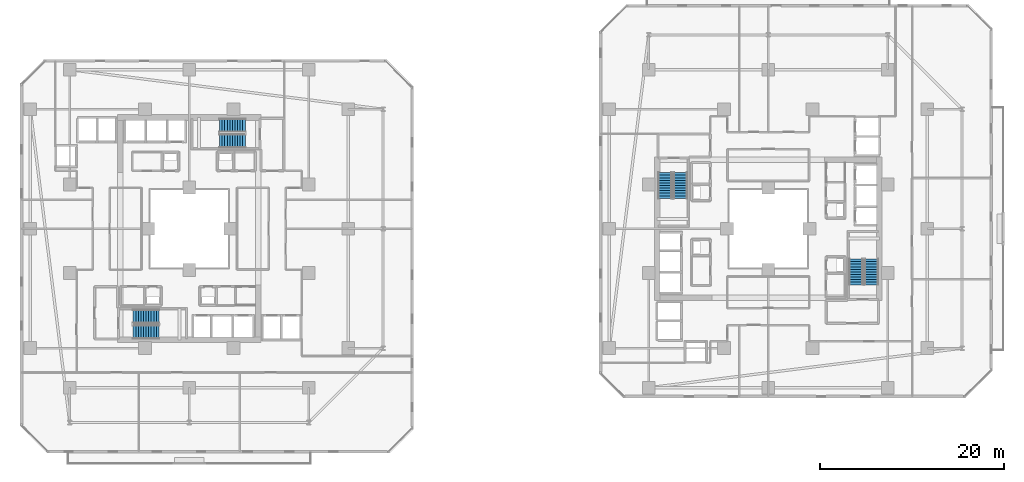
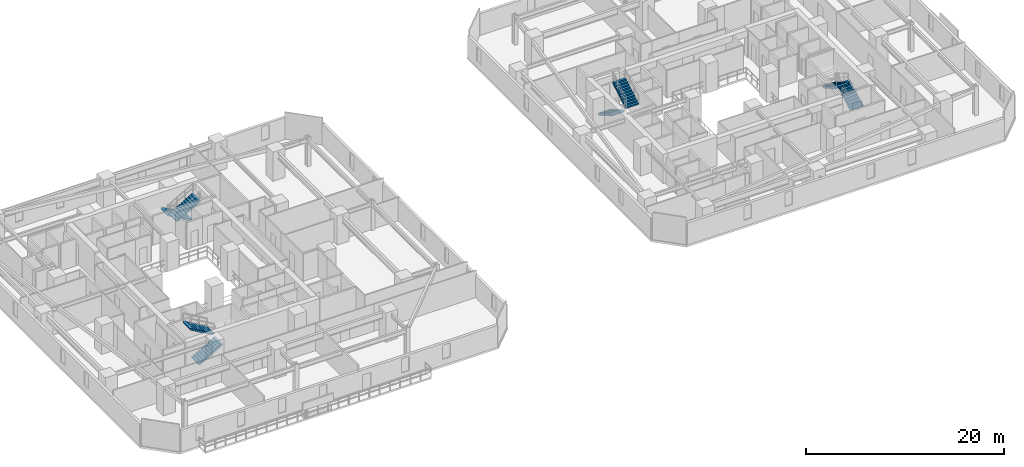
# One storey, part 29 of 35: 8 stair flights, 4 elements without a shape of their own.
"""IFC4 building model written with IfcOpenShell, lengths in metres."""

from ifc_helpers import new_model, si_unit, direction, frame, origin, place, context, subcontext, project, spatial, polyline, outline, extrude, material, type_object, element, aggregate, save


model = new_model("IFC4")

# Units and contexts
model_context = context("Model", 3, precision=1e-05, world=origin(), true_north=direction((0.0, 1.0)))
body_context = subcontext(model_context, "Body", "Model", "MODEL_VIEW")
ifc_project = project(units=[si_unit("LENGTHUNIT", "METRE"), si_unit("AREAUNIT", "SQUARE_METRE"), si_unit("VOLUMEUNIT", "CUBIC_METRE"), si_unit("PLANEANGLEUNIT", "RADIAN"), si_unit("MASSUNIT", "GRAM", prefix="KILO")], contexts=[model_context])

# Site, building, storey
site_placement = place(None, origin())
site = spatial("IfcSite", under=ifc_project, at=site_placement, CompositionType="ELEMENT")
building_placement = place(site_placement, origin())
building = spatial("IfcBuilding", under=site, at=building_placement, Name="Thornwick Lancets Civic Towers", CompositionType="ELEMENT")
storey_placement = place(building_placement, frame((0.0, 0.0, 64.5)))
storey = spatial("IfcBuildingStorey", under=building, at=storey_placement, Name="L16", CompositionType="ELEMENT", Elevation=64.5)

# Stair, stair flights
ifc_material = material(Name="Concrete C40/50", Category="concrete")
stair_type = type_object("IfcStairType", Name="STAIR_DL_3600", PredefinedType="HALF_TURN_STAIR", material=ifc_material)
stair_1_placement = place(storey_placement, origin())
stair_1 = element("IfcStair", 1, at=stair_1_placement, inside=storey, type_object=stair_type, Name="L16 Tower A South Exit Stair ST-A1", PredefinedType="HALF_TURN_STAIR")
stair_flight_type = type_object("IfcStairFlightType", Name="FLIGHT_3600", PredefinedType="STRAIGHT", material=ifc_material)
stair_flight_1_placement = place(storey_placement, frame((19.39990234375, 15.75, 0.0), z_axis=(0.0, 0.0, 1.0), x_axis=(1.0, 0.0, 0.0)))
stair_flight_1 = element("IfcStairFlight", 2, at=stair_flight_1_placement, type_object=stair_flight_type, Name="ST-A1 flight 1", NumberOfRisers=11, NumberOfTreads=10, PredefinedType="STRAIGHT", RiserHeight=0.163636364, TreadLength=0.28, context=body_context, shape_type="SweptSolid", body=[
    extrude(outline(polyline([(0.0, 0.0), (0.0, 0.16357421875), (0.280029296875, 0.16357421875), (0.280029296875, 0.327392578125), (0.56005859375, 0.327392578125), (0.56005859375, 0.490966796875), (0.840087890625, 0.490966796875), (0.840087890625, 0.654541015625), (1.1201171875, 0.654541015625), (1.1201171875, 0.818115234375), (1.39990234375, 0.818115234375), (1.39990234375, 0.98193359375), (1.679931640625, 0.98193359375), (1.679931640625, 1.1455078125), (1.9599609375, 1.1455078125), (1.9599609375, 1.30908203125), (2.239990234375, 1.30908203125), (2.239990234375, 1.47265625), (2.52001953125, 1.47265625), (2.52001953125, 1.636474609375), (2.800048828125, 1.636474609375), (2.800048828125, 1.800048828125), (2.800048828125, 1.462646484375), (0.297119140625, 0.0), (0.0, 0.0)])), frame((0.0, 0.75, 0.0), z_axis=(0.0, -1.0, 0.0), x_axis=(1.0, 0.0, 0.0)), (0.0, 0.0, 1.0), 1.5),
])
stair_flight_2_placement = place(storey_placement, frame((22.199951171875, 17.449951171875, 1.800048828125), z_axis=(0.0, 0.0, 1.0), x_axis=(-1.0, 0.0, 0.0)))
stair_flight_2 = element("IfcStairFlight", 3, at=stair_flight_2_placement, type_object=stair_flight_type, Name="ST-A1 flight 2", NumberOfRisers=11, NumberOfTreads=10, PredefinedType="STRAIGHT", RiserHeight=0.163636364, TreadLength=0.28, context=body_context, shape_type="SweptSolid", body=[
    extrude(outline(polyline([(0.0, 0.0), (0.0, 0.16357421875), (0.280029296875, 0.16357421875), (0.280029296875, 0.327392578125), (0.56005859375, 0.327392578125), (0.56005859375, 0.490966796875), (0.840087890625, 0.490966796875), (0.840087890625, 0.654541015625), (1.1201171875, 0.654541015625), (1.1201171875, 0.818115234375), (1.39990234375, 0.818115234375), (1.39990234375, 0.98193359375), (1.679931640625, 0.98193359375), (1.679931640625, 1.1455078125), (1.9599609375, 1.1455078125), (1.9599609375, 1.30908203125), (2.239990234375, 1.30908203125), (2.239990234375, 1.47265625), (2.52001953125, 1.47265625), (2.52001953125, 1.636474609375), (2.800048828125, 1.636474609375), (2.800048828125, 1.800048828125), (2.800048828125, 1.462646484375), (0.297119140625, 0.0), (0.0, 0.0)])), frame((0.0, 0.75, 0.0), z_axis=(0.0, -1.0, 0.0), x_axis=(1.0, 0.0, 0.0)), (0.0, 0.0, 1.0), 1.5),
])
aggregate(stair_1, [stair_flight_1, stair_flight_2])

stair_2_placement = place(storey_placement, origin())
stair_2 = element("IfcStair", 4, at=stair_2_placement, inside=storey, type_object=stair_type, Name="L16 Tower A North Exit Stair ST-A2", PredefinedType="HALF_TURN_STAIR")
stair_flight_3_placement = place(storey_placement, frame((31.60009765625, 38.25, 0.0), z_axis=(0.0, 0.0, 1.0), x_axis=(-1.0, 0.0, 0.0)))
stair_flight_3 = element("IfcStairFlight", 5, at=stair_flight_3_placement, type_object=stair_flight_type, Name="ST-A2 flight 1", NumberOfRisers=11, NumberOfTreads=10, PredefinedType="STRAIGHT", RiserHeight=0.163636364, TreadLength=0.28, context=body_context, shape_type="SweptSolid", body=[
    extrude(outline(polyline([(0.0, 0.0), (0.0, 0.16357421875), (0.280029296875, 0.16357421875), (0.280029296875, 0.327392578125), (0.56005859375, 0.327392578125), (0.56005859375, 0.490966796875), (0.840087890625, 0.490966796875), (0.840087890625, 0.654541015625), (1.1201171875, 0.654541015625), (1.1201171875, 0.818115234375), (1.39990234375, 0.818115234375), (1.39990234375, 0.98193359375), (1.679931640625, 0.98193359375), (1.679931640625, 1.1455078125), (1.9599609375, 1.1455078125), (1.9599609375, 1.30908203125), (2.239990234375, 1.30908203125), (2.239990234375, 1.47265625), (2.52001953125, 1.47265625), (2.52001953125, 1.636474609375), (2.800048828125, 1.636474609375), (2.800048828125, 1.800048828125), (2.800048828125, 1.462646484375), (0.297119140625, 0.0), (0.0, 0.0)])), frame((0.0, 0.75, 0.0), z_axis=(0.0, -1.0, 0.0), x_axis=(1.0, 0.0, 0.0)), (0.0, 0.0, 1.0), 1.5),
])
stair_flight_4_placement = place(storey_placement, frame((28.800048828125, 36.550048828125, 1.800048828125), z_axis=(0.0, 0.0, 1.0), x_axis=(1.0, 0.0, 0.0)))
stair_flight_4 = element("IfcStairFlight", 6, at=stair_flight_4_placement, type_object=stair_flight_type, Name="ST-A2 flight 2", NumberOfRisers=11, NumberOfTreads=10, PredefinedType="STRAIGHT", RiserHeight=0.163636364, TreadLength=0.28, context=body_context, shape_type="SweptSolid", body=[
    extrude(outline(polyline([(0.0, 0.0), (0.0, 0.16357421875), (0.280029296875, 0.16357421875), (0.280029296875, 0.327392578125), (0.56005859375, 0.327392578125), (0.56005859375, 0.490966796875), (0.840087890625, 0.490966796875), (0.840087890625, 0.654541015625), (1.1201171875, 0.654541015625), (1.1201171875, 0.818115234375), (1.39990234375, 0.818115234375), (1.39990234375, 0.98193359375), (1.679931640625, 0.98193359375), (1.679931640625, 1.1455078125), (1.9599609375, 1.1455078125), (1.9599609375, 1.30908203125), (2.239990234375, 1.30908203125), (2.239990234375, 1.47265625), (2.52001953125, 1.47265625), (2.52001953125, 1.636474609375), (2.800048828125, 1.636474609375), (2.800048828125, 1.800048828125), (2.800048828125, 1.462646484375), (0.297119140625, 0.0), (0.0, 0.0)])), frame((0.0, 0.75, 0.0), z_axis=(0.0, -1.0, 0.0), x_axis=(1.0, 0.0, 0.0)), (0.0, 0.0, 1.0), 1.5),
])
aggregate(stair_2, [stair_flight_3, stair_flight_4])

stair_3_placement = place(storey_placement, origin())
stair_3 = element("IfcStair", 7, at=stair_3_placement, inside=storey, type_object=stair_type, Name="L16 Tower B East Exit Stair ST-B1", PredefinedType="HALF_TURN_STAIR")
stair_flight_5_placement = place(storey_placement, frame((99.75, 20.89990234375, 0.0), z_axis=(0.0, 0.0, 1.0), x_axis=(0.0, 1.0, 0.0)))
stair_flight_5 = element("IfcStairFlight", 8, at=stair_flight_5_placement, type_object=stair_flight_type, Name="ST-B1 flight 1", NumberOfRisers=11, NumberOfTreads=10, PredefinedType="STRAIGHT", RiserHeight=0.163636364, TreadLength=0.28, context=body_context, shape_type="SweptSolid", body=[
    extrude(outline(polyline([(0.0, 0.0), (0.0, 0.16357421875), (0.280029296875, 0.16357421875), (0.280029296875, 0.327392578125), (0.56005859375, 0.327392578125), (0.56005859375, 0.490966796875), (0.840087890625, 0.490966796875), (0.840087890625, 0.654541015625), (1.1201171875, 0.654541015625), (1.1201171875, 0.818115234375), (1.39990234375, 0.818115234375), (1.39990234375, 0.98193359375), (1.679931640625, 0.98193359375), (1.679931640625, 1.1455078125), (1.9599609375, 1.1455078125), (1.9599609375, 1.30908203125), (2.239990234375, 1.30908203125), (2.239990234375, 1.47265625), (2.52001953125, 1.47265625), (2.52001953125, 1.636474609375), (2.800048828125, 1.636474609375), (2.800048828125, 1.800048828125), (2.800048828125, 1.462646484375), (0.297119140625, 0.0), (0.0, 0.0)])), frame((0.0, 0.75, 0.0), z_axis=(0.0, -1.0, 0.0), x_axis=(1.0, 0.0, 0.0)), (0.0, 0.0, 1.0), 1.5),
])
stair_flight_6_placement = place(storey_placement, frame((98.050048828125, 23.699951171875, 1.800048828125), z_axis=(0.0, 0.0, 1.0), x_axis=(0.0, -1.0, 0.0)))
stair_flight_6 = element("IfcStairFlight", 9, at=stair_flight_6_placement, type_object=stair_flight_type, Name="ST-B1 flight 2", NumberOfRisers=11, NumberOfTreads=10, PredefinedType="STRAIGHT", RiserHeight=0.163636364, TreadLength=0.28, context=body_context, shape_type="SweptSolid", body=[
    extrude(outline(polyline([(0.0, 0.0), (0.0, 0.16357421875), (0.280029296875, 0.16357421875), (0.280029296875, 0.327392578125), (0.56005859375, 0.327392578125), (0.56005859375, 0.490966796875), (0.840087890625, 0.490966796875), (0.840087890625, 0.654541015625), (1.1201171875, 0.654541015625), (1.1201171875, 0.818115234375), (1.39990234375, 0.818115234375), (1.39990234375, 0.98193359375), (1.679931640625, 0.98193359375), (1.679931640625, 1.1455078125), (1.9599609375, 1.1455078125), (1.9599609375, 1.30908203125), (2.239990234375, 1.30908203125), (2.239990234375, 1.47265625), (2.52001953125, 1.47265625), (2.52001953125, 1.636474609375), (2.800048828125, 1.636474609375), (2.800048828125, 1.800048828125), (2.800048828125, 1.462646484375), (0.297119140625, 0.0), (0.0, 0.0)])), frame((0.0, 0.75, 0.0), z_axis=(0.0, -1.0, 0.0), x_axis=(1.0, 0.0, 0.0)), (0.0, 0.0, 1.0), 1.5),
])
aggregate(stair_3, [stair_flight_5, stair_flight_6])

stair_4_placement = place(storey_placement, origin())
stair_4 = element("IfcStair", 10, at=stair_4_placement, inside=storey, type_object=stair_type, Name="L16 Tower B West Exit Stair ST-B2", PredefinedType="HALF_TURN_STAIR")
stair_flight_7_placement = place(storey_placement, frame((77.25, 33.10009765625, 0.0), z_axis=(0.0, 0.0, 1.0), x_axis=(0.0, -1.0, 0.0)))
stair_flight_7 = element("IfcStairFlight", 11, at=stair_flight_7_placement, type_object=stair_flight_type, Name="ST-B2 flight 1", NumberOfRisers=11, NumberOfTreads=10, PredefinedType="STRAIGHT", RiserHeight=0.163636364, TreadLength=0.28, context=body_context, shape_type="SweptSolid", body=[
    extrude(outline(polyline([(0.0, 0.0), (0.0, 0.16357421875), (0.280029296875, 0.16357421875), (0.280029296875, 0.327392578125), (0.56005859375, 0.327392578125), (0.56005859375, 0.490966796875), (0.840087890625, 0.490966796875), (0.840087890625, 0.654541015625), (1.1201171875, 0.654541015625), (1.1201171875, 0.818115234375), (1.39990234375, 0.818115234375), (1.39990234375, 0.98193359375), (1.679931640625, 0.98193359375), (1.679931640625, 1.1455078125), (1.9599609375, 1.1455078125), (1.9599609375, 1.30908203125), (2.239990234375, 1.30908203125), (2.239990234375, 1.47265625), (2.52001953125, 1.47265625), (2.52001953125, 1.636474609375), (2.800048828125, 1.636474609375), (2.800048828125, 1.800048828125), (2.800048828125, 1.462646484375), (0.297119140625, 0.0), (0.0, 0.0)])), frame((0.0, 0.75, 0.0), z_axis=(0.0, -1.0, 0.0), x_axis=(1.0, 0.0, 0.0)), (0.0, 0.0, 1.0), 1.5),
])
stair_flight_8_placement = place(storey_placement, frame((78.949951171875, 30.300048828125, 1.800048828125), z_axis=(0.0, 0.0, 1.0), x_axis=(0.0, 1.0, 0.0)))
stair_flight_8 = element("IfcStairFlight", 12, at=stair_flight_8_placement, type_object=stair_flight_type, Name="ST-B2 flight 2", NumberOfRisers=11, NumberOfTreads=10, PredefinedType="STRAIGHT", RiserHeight=0.163636364, TreadLength=0.28, context=body_context, shape_type="SweptSolid", body=[
    extrude(outline(polyline([(0.0, 0.0), (0.0, 0.16357421875), (0.280029296875, 0.16357421875), (0.280029296875, 0.327392578125), (0.56005859375, 0.327392578125), (0.56005859375, 0.490966796875), (0.840087890625, 0.490966796875), (0.840087890625, 0.654541015625), (1.1201171875, 0.654541015625), (1.1201171875, 0.818115234375), (1.39990234375, 0.818115234375), (1.39990234375, 0.98193359375), (1.679931640625, 0.98193359375), (1.679931640625, 1.1455078125), (1.9599609375, 1.1455078125), (1.9599609375, 1.30908203125), (2.239990234375, 1.30908203125), (2.239990234375, 1.47265625), (2.52001953125, 1.47265625), (2.52001953125, 1.636474609375), (2.800048828125, 1.636474609375), (2.800048828125, 1.800048828125), (2.800048828125, 1.462646484375), (0.297119140625, 0.0), (0.0, 0.0)])), frame((0.0, 0.75, 0.0), z_axis=(0.0, -1.0, 0.0), x_axis=(1.0, 0.0, 0.0)), (0.0, 0.0, 1.0), 1.5),
])
aggregate(stair_4, [stair_flight_7, stair_flight_8])

save(model, "model.ifc")
